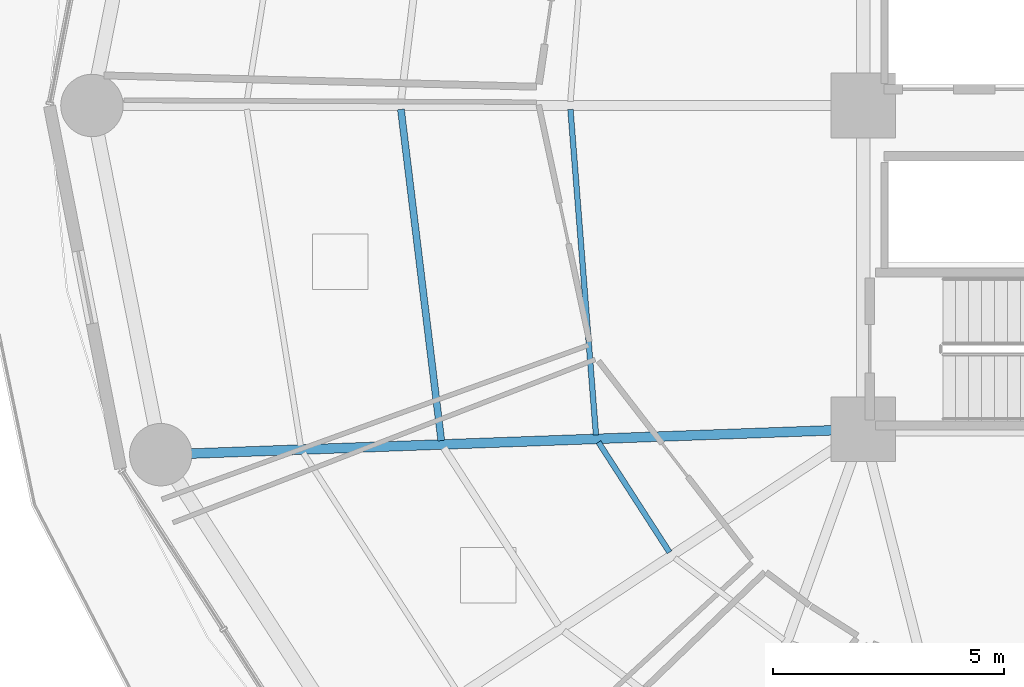
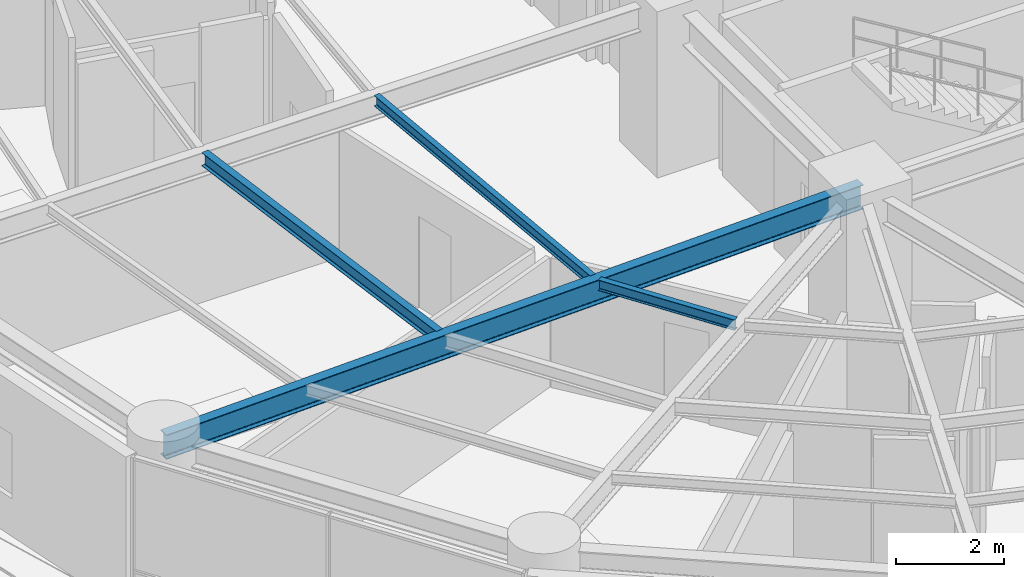
# One storey, part 5 of 33: 4 beams.
"""IFC4 building model written with IfcOpenShell, lengths in metres."""

from ifc_helpers import new_model, si_unit, direction, frame, origin, origin_2d, place, context, subcontext, project, spatial, i_section, extrude, material, material_profile, profile_set, type_object, element, save


model = new_model("IFC4")

# Units and contexts
model_context = context("Model", 3, precision=1e-05, world=origin(), true_north=direction((0.0, 1.0)))
body_context = subcontext(model_context, "Body", "Model", "MODEL_VIEW")
ifc_project = project(units=[si_unit("LENGTHUNIT", "METRE"), si_unit("AREAUNIT", "SQUARE_METRE"), si_unit("VOLUMEUNIT", "CUBIC_METRE"), si_unit("PLANEANGLEUNIT", "RADIAN"), si_unit("MASSUNIT", "GRAM", prefix="KILO")], contexts=[model_context])

# Site, building, storey
site_placement = place(None, origin())
site = spatial("IfcSite", under=ifc_project, at=site_placement, CompositionType="ELEMENT")
building_placement = place(site_placement, origin())
building = spatial("IfcBuilding", under=site, at=building_placement, Name="Kelanora Arch Commons", CompositionType="ELEMENT")
storey_placement = place(building_placement, frame((0.0, 0.0, 83.85009765625)))
storey = spatial("IfcBuildingStorey", under=building, at=storey_placement, Name="L21", CompositionType="ELEMENT", Elevation=83.85009765625)

# Beams
ifc_material = material(Name="Steel S355", Category="steel")
ifc_material_profile_1 = material_profile(ifc_material, i_section(OverallWidth=0.14990234375, OverallDepth=0.300048828125, WebThickness=0.007080078125, FlangeThickness=0.0107421875, FilletRadius=0.014892578125, at=origin_2d()), Name="IPE300")
ifc_profile_set_1 = profile_set([ifc_material_profile_1], Name="Steel S355")
beam_type_1 = type_object("IfcBeamType", Name="BM-JST-01", PredefinedType="JOIST", material=ifc_profile_set_1)
beam_1_placement = place(storey_placement, frame((56.002197265625, 57.91552734375, 3.33984375), z_axis=(0.120935645266, -0.992660349618, 0.0), x_axis=(0.992660349618, 0.120935645266, 0.0)))
element("IfcBeam", 1, at=beam_1_placement, inside=storey, type_object=beam_type_1, Name="Secondary Chord Joist BJB-18 L21", PredefinedType="JOIST", context=body_context, shape_type="SweptSolid", body=[
    extrude(i_section(OverallWidth=0.14990234375, OverallDepth=0.300048828125, WebThickness=0.007080078125, FlangeThickness=0.0107421875, FilletRadius=0.014892578125, at=origin_2d()), origin(), (0.0, 0.0, 1.0), 7.215087890625),
])
ifc_material_profile_2 = material_profile(ifc_material, i_section(OverallWidth=0.1201171875, OverallDepth=0.239990234375, WebThickness=0.006103515625, FlangeThickness=0.009765625, FilletRadius=0.014892578125, at=origin_2d()), Name="IPE240")
ifc_profile_set_2 = profile_set([ifc_material_profile_2], Name="Steel S355")
beam_type_2 = type_object("IfcBeamType", Name="BM-JST-02", PredefinedType="JOIST", material=ifc_profile_set_2)
beam_2_placement = place(storey_placement, frame((59.668212890625, 57.915283203125, 3.369873046875), z_axis=(0.078200677502, -0.996937637989, 0.0), x_axis=(0.996937637989, 0.078200677502, 0.0)))
element("IfcBeam", 2, at=beam_2_placement, inside=storey, type_object=beam_type_2, Name="Secondary Chord Joist BJA-18 L21", PredefinedType="JOIST", context=body_context, shape_type="SweptSolid", body=[
    extrude(i_section(OverallWidth=0.1201171875, OverallDepth=0.239990234375, WebThickness=0.006103515625, FlangeThickness=0.009765625, FilletRadius=0.014892578125, at=origin_2d()), origin(), (0.0, 0.0, 1.0), 7.06201171875),
])
beam_3_placement = place(storey_placement, frame((60.273193359375, 50.718994140625, 3.369873046875), z_axis=(0.542211255502, -0.840242199849, 0.0), x_axis=(0.840242199849, 0.542211255502, 0.0)))
element("IfcBeam", 3, at=beam_3_placement, inside=storey, type_object=beam_type_2, Name="Secondary Chord Joist BJA-20 L21", PredefinedType="JOIST", context=body_context, shape_type="SweptSolid", body=[
    extrude(i_section(OverallWidth=0.1201171875, OverallDepth=0.239990234375, WebThickness=0.006103515625, FlangeThickness=0.009765625, FilletRadius=0.014892578125, at=origin_2d()), origin(), (0.0, 0.0, 1.0), 2.83349609375),
])
ifc_material_profile_3 = material_profile(ifc_material, i_section(OverallWidth=0.2099609375, OverallDepth=0.550048828125, WebThickness=0.010986328125, FlangeThickness=0.01708984375, FilletRadius=0.02392578125, at=origin_2d()), Name="IPE550")
ifc_profile_set_3 = profile_set([ifc_material_profile_3], Name="Steel S355")
beam_type_3 = type_object("IfcBeamType", Name="BM-RAD-Z2", PredefinedType="BEAM", material=ifc_profile_set_3)
beam_4_placement = place(storey_placement, frame((66.0, 51.0, 3.21484375), z_axis=(-0.999341087625, -0.036295875581, 0.0), x_axis=(0.036295875581, -0.999341087625, 0.0)))
element("IfcBeam", 4, at=beam_4_placement, inside=storey, type_object=beam_type_3, Name="Radial Floor Girder BR-20 L21", PredefinedType="BEAM", context=body_context, shape_type="SweptSolid", body=[
    extrude(i_section(OverallWidth=0.2099609375, OverallDepth=0.550048828125, WebThickness=0.010986328125, FlangeThickness=0.01708984375, FilletRadius=0.02392578125, at=origin_2d()), origin(), (0.0, 0.0, 1.0), 15.20166015625),
])

save(model, "model.ifc")
